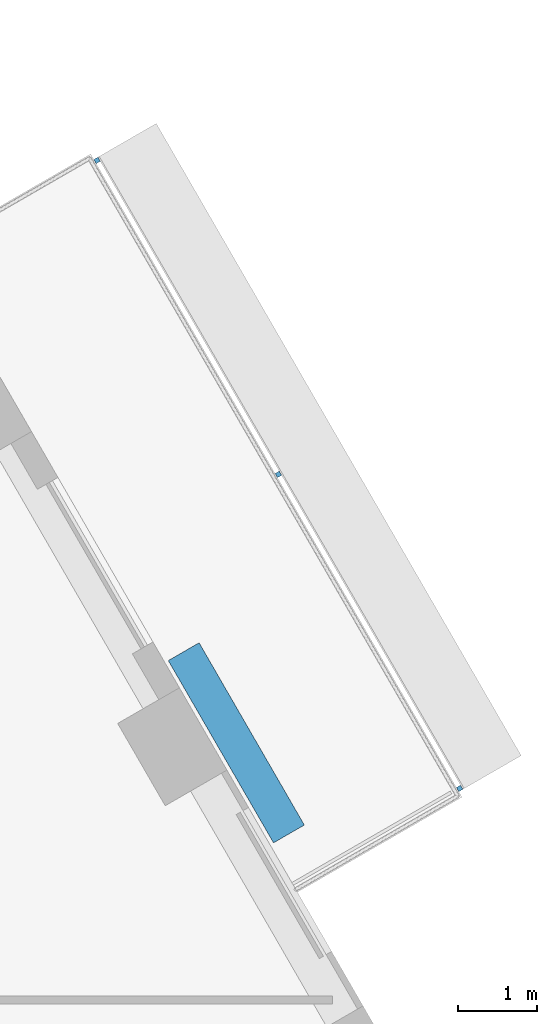
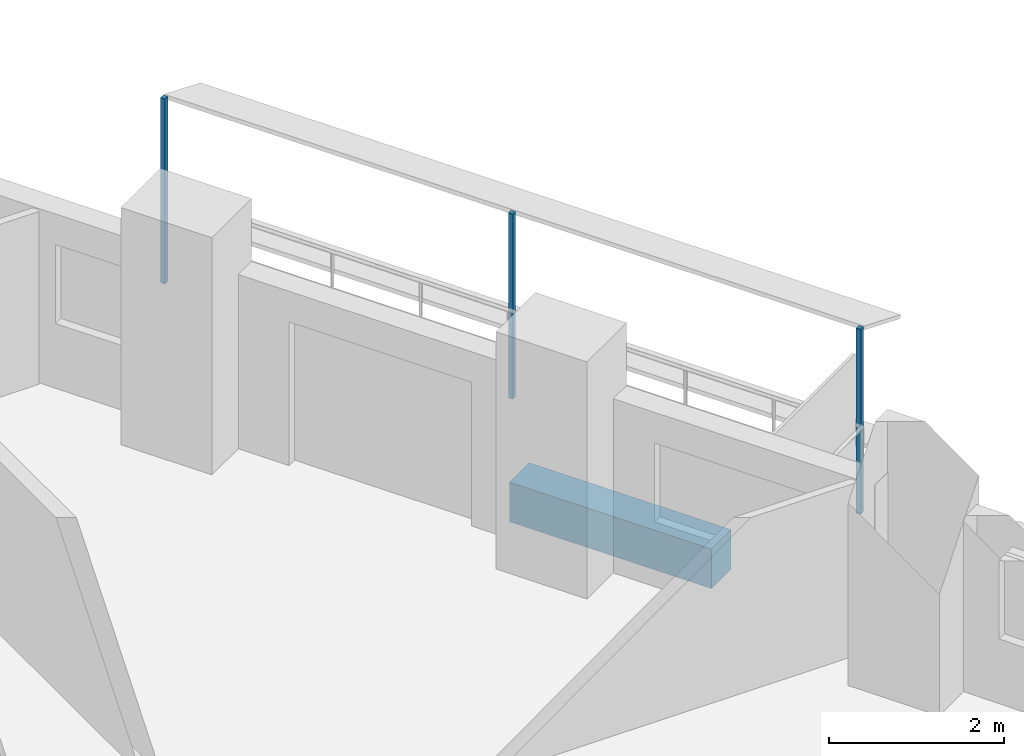
# One storey, part 13 of 18: 4 discrete accessories.
"""IFC4 building model written with IfcOpenShell, lengths in metres."""

from ifc_helpers import new_model, si_unit, direction, frame, origin, origin_2d, place, context, subcontext, project, spatial, rectangle, extrude, material, type_object, element, save


model = new_model("IFC4")

# Units and contexts
model_context = context("Model", 3, precision=1e-05, world=origin(), true_north=direction((0.0, 1.0)))
body_context = subcontext(model_context, "Body", "Model", "MODEL_VIEW")
ifc_project = project(units=[si_unit("LENGTHUNIT", "METRE"), si_unit("AREAUNIT", "SQUARE_METRE"), si_unit("VOLUMEUNIT", "CUBIC_METRE"), si_unit("PLANEANGLEUNIT", "RADIAN"), si_unit("MASSUNIT", "GRAM", prefix="KILO")], contexts=[model_context])

# Site, building, storey
site_placement = place(None, origin())
site = spatial("IfcSite", under=ifc_project, at=site_placement, CompositionType="ELEMENT")
building_placement = place(site_placement, origin())
building = spatial("IfcBuilding", under=site, at=building_placement, Name="Nakaniwa Court", CompositionType="ELEMENT")
storey_placement = place(building_placement, frame((0.0, 0.0, 176.699951171875)))
storey = spatial("IfcBuildingStorey", under=building, at=storey_placement, Name="L45", CompositionType="ELEMENT", Elevation=176.699951171875)

# Discrete accessories
ifc_material_1 = material(Name="Black powder-coated steel bracket S275", Category="steel")
discrete_accessory_type_1 = type_object("IfcDiscreteAccessoryType", Name="Black metal louvre bracket", PredefinedType="BRACKET", material=ifc_material_1)
for number, where, z_axis, x_axis, name in (
    (1, (102.7685546875, 90.723876953125, -0.229736328125), (0.0, 0.0, 1.0), (-0.500016626402, 0.866015804314, 0.0), "L45 louvre bracket 03 1"),
    (2, (100.478759765625, 94.689697265625, -0.229736328125), (0.0, 0.0, 1.0), (-0.500016626402, 0.866015804314, 0.0), "L45 louvre bracket 03 2"),
    (3, (98.189208984375, 98.6552734375, -0.229736328125), (0.0, 0.0, 1.0), (-0.500016626402, 0.866015804314, 0.0), "L45 louvre bracket 03 3"),
):
    element("IfcDiscreteAccessory", number, at=place(storey_placement, frame(where, z_axis=z_axis, x_axis=x_axis)), inside=storey, type_object=discrete_accessory_type_1, Name=name, PredefinedType="BRACKET", context=body_context, shape_type="SweptSolid", body=[
        extrude(rectangle(XDim=0.06005859375, YDim=0.06005859375, at=origin_2d()), origin(), (0.0, 0.0, 1.0), 2.5751953125),
    ])
ifc_material_2 = material(Name="Precast concrete C40/50 planter with planted soil", Category="concrete")
discrete_accessory_type_2 = type_object("IfcDiscreteAccessoryType", Name="Planter box charcoal concrete", PredefinedType="USERDEFINED", material=ifc_material_2)
discrete_accessory_placement = place(storey_placement, frame((99.94775390625, 91.2998046875, -0.0498046875), z_axis=(0.0, 0.0, 1.0), x_axis=(-0.500016626402, 0.866015804314, 0.0)))
element("IfcDiscreteAccessory", 4, at=discrete_accessory_placement, inside=storey, type_object=discrete_accessory_type_2, Name="L45 balcony PLANTER 03", ObjectType="PLANTER", PredefinedType="USERDEFINED", context=body_context, shape_type="SweptSolid", body=[
    extrude(rectangle(XDim=2.658203125, YDim=0.449951171875, at=origin_2d()), origin(), (0.0, 0.0, 1.0), 0.550048828125),
])

save(model, "model.ifc")
